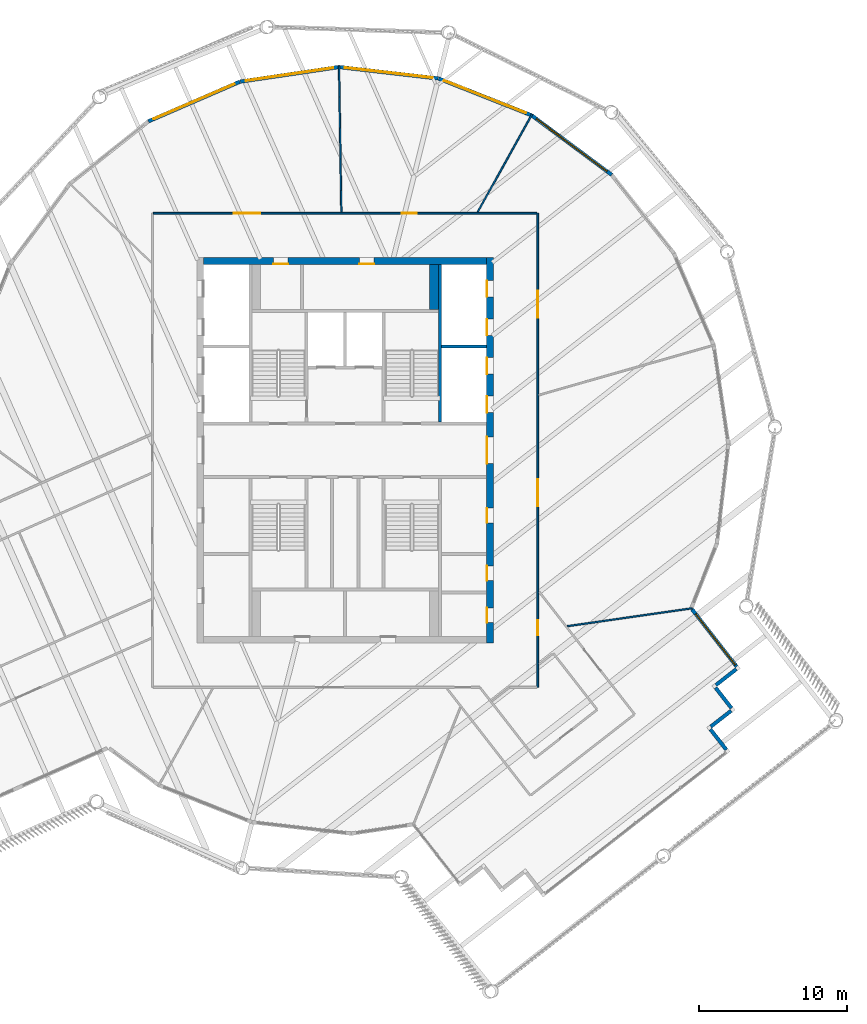
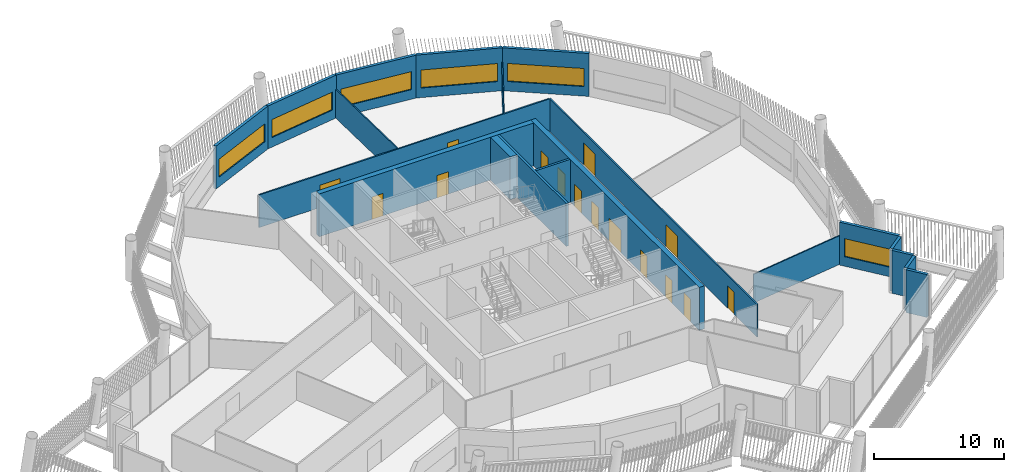
# One storey, part 19 of 28: 20 walls, 15 doors, 6 windows, 21 openings.
"""IFC4 building model written with IfcOpenShell, lengths in metres."""

import ifcopenshell
import ifcopenshell.guid

model = None  # the IFC model being written
_history = None  # IfcOwnerHistory: only IFC2X3 demands one
_inside = {}  # id of a spatial element -> (the spatial element, [elements in it])
_under = {}  # id of a project, library or spatial element -> (it, [spatial elements below it])
_declared = {}  # id of a project -> (the project, [libraries it declares])
_typed = {}  # id of a type object -> (the type object, [elements of that type])
_made_of = {}  # id of a material, layer set ... -> (it, [elements and type objects made of it])


def new_model(schema):
    """Start an empty IFC model of exactly this schema.

    Asked for "IFC4X3", IfcOpenShell would pick the latest addendum, in which some entities
    have other attributes; the version numbers below select the first issue.
    IFC2X3 requires an IfcOwnerHistory on every rooted entity: one is made here for all.
    """
    global model, _history
    if schema == "IFC4X3":
        model = ifcopenshell.file(schema_version=(4, 3, 0, 0))
    else:
        model = ifcopenshell.file(schema=schema)
    _inside.clear()
    _under.clear()
    _declared.clear()
    _typed.clear()
    _made_of.clear()
    _history = None
    if model.schema == "IFC2X3":
        org = make("IfcOrganization", Name="unknown")
        user = make(
            "IfcPersonAndOrganization",
            ThePerson=make("IfcPerson", FamilyName="unknown"),
            TheOrganization=org,
        )
        app = make(
            "IfcApplication",
            ApplicationDeveloper=org,
            Version="unknown",
            ApplicationFullName="unknown",
            ApplicationIdentifier="unknown",
        )
        _history = make(
            "IfcOwnerHistory",
            OwningUser=user,
            OwningApplication=app,
            ChangeAction="ADDED",
            CreationDate=0,
        )
    return model


def make(cls, **values):
    """One entity of the class cls with the attributes given. An attribute that is None is left unset."""
    return model.create_entity(
        cls, **{name: value for name, value in values.items() if value is not None}
    )


def rooted(cls, **values):
    """An entity with a GlobalId (a new one), such as an element, a storey or a relation."""
    return make(cls, GlobalId=ifcopenshell.guid.new(), OwnerHistory=_history, **values)


def si_unit(unit_type, name, prefix=None):
    """IfcSIUnit, for example si_unit("LENGTHUNIT", "METRE", prefix="MILLI")."""
    return make("IfcSIUnit", UnitType=unit_type, Prefix=prefix, Name=name)


def assignment(units):
    """IfcUnitAssignment: the units of a project."""
    return None if units is None else make("IfcUnitAssignment", Units=units)


def point(xyz):
    """IfcCartesianPoint."""
    return None if xyz is None else make("IfcCartesianPoint", Coordinates=xyz)


def direction(xyz):
    """IfcDirection."""
    return None if xyz is None else make("IfcDirection", DirectionRatios=xyz)


def frame(location, z_axis=None, x_axis=None):
    """IfcAxis2Placement3D, a coordinate frame: its origin and axes. An axis left out is left unset."""
    return make(
        "IfcAxis2Placement3D",
        Location=point(location),
        Axis=direction(z_axis),
        RefDirection=direction(x_axis),
    )


def frame_2d(location, x_axis=None):
    """IfcAxis2Placement2D, a coordinate frame in the plane: its origin and x axis."""
    return make(
        "IfcAxis2Placement2D", Location=point(location), RefDirection=direction(x_axis)
    )


def origin():
    """The frame at (0, 0, 0) with its axes left unset."""
    return frame((0.0, 0.0, 0.0))


def place(relative_to, where):
    """IfcLocalPlacement: puts the frame where relative to a parent placement (None: the world)."""
    return make(
        "IfcLocalPlacement", PlacementRelTo=relative_to, RelativePlacement=where
    )


def context(
    kind, dimensions, precision=None, world=None, true_north=None, identifier=None
):
    """IfcGeometricRepresentationContext, for example the 3D "Model" context."""
    return make(
        "IfcGeometricRepresentationContext",
        ContextIdentifier=identifier,
        ContextType=kind,
        CoordinateSpaceDimension=dimensions,
        Precision=precision,
        WorldCoordinateSystem=world,
        TrueNorth=true_north,
    )


def subcontext(parent, identifier, kind, view, scale=None):
    """IfcGeometricRepresentationSubContext, for example "Body" below "Model"."""
    return make(
        "IfcGeometricRepresentationSubContext",
        ContextIdentifier=identifier,
        ContextType=kind,
        ParentContext=parent,
        TargetScale=scale,
        TargetView=view,
    )


def project(units=None, contexts=None):
    """IfcProject with its units and contexts."""
    return rooted(
        "IfcProject",
        Name="project",
        RepresentationContexts=contexts,
        UnitsInContext=assignment(units),
    )


def spatial(cls, under=None, at=None, **own):
    """A site, building, storey or space (cls), placed at a placement, below another one or the project."""
    s = rooted(cls, ObjectPlacement=at, **own)
    if under is not None:
        _under.setdefault(under.id(), (under, []))[1].append(s)
    return s


def profile(cls, at=None, kind="AREA", **sizes):
    """A parametric profile (cls). Its sizes go by their IFC names, for example OverallWidth=200.0."""
    return make(cls, ProfileType=kind, Position=at, **sizes)


def rectangle(**sizes):
    """IfcRectangleProfileDef."""
    return profile("IfcRectangleProfileDef", **sizes)


def extrude(swept, where, along, depth):
    """IfcExtrudedAreaSolid: the profile swept, set in the frame where, extruded along a direction by depth."""
    return make(
        "IfcExtrudedAreaSolid",
        SweptArea=swept,
        Position=where,
        ExtrudedDirection=direction(along),
        Depth=depth,
    )


def shape(context_of_items, identifier, shape_type, items):
    """IfcShapeRepresentation: the items that make up one representation, for example the "Body"."""
    return make(
        "IfcShapeRepresentation",
        ContextOfItems=context_of_items,
        RepresentationIdentifier=identifier,
        RepresentationType=shape_type,
        Items=items,
    )


def material(Name=None, Category=None):
    """IfcMaterial."""
    return make("IfcMaterial", Name=Name, Category=Category)


def layer(
    of_material, thickness, ventilated=None, Name=None, Category=None, Priority=None
):
    """IfcMaterialLayer: one layer of a wall or slab, of a material (None: an air gap)."""
    return make(
        "IfcMaterialLayer",
        Material=of_material,
        LayerThickness=thickness,
        IsVentilated=ventilated,
        Name=Name,
        Category=Category,
        Priority=Priority,
    )


def layer_set(layers, Name=None):
    """IfcMaterialLayerSet."""
    return make("IfcMaterialLayerSet", MaterialLayers=layers, LayerSetName=Name)


def made_of(thing, what):
    """Note that an element or type object is made of a material, layer set ...; save() writes the relation."""
    if what is not None:
        _made_of.setdefault(what.id(), (what, []))[1].append(thing)
    return thing


def type_object(cls, material=None, **own):
    """A type object (cls), such as IfcWallType, which elements share."""
    return made_of(rooted(cls, **own), material)


def element(
    cls,
    number,
    at=None,
    inside=None,
    cuts=None,
    type_object=None,
    material=None,
    context=None,
    identifier="Body",
    shape_type=None,
    held_by="IfcProductDefinitionShape",
    body=None,
    shapes=None,
    **own,
):
    """One element of the class cls, such as IfcWall. Its Tag is "e" and its number.

    at: its placement. inside: the storey or other place that contains it. cuts: it is an
    opening in that element (IfcRelVoidsElement). A single representation is given by context,
    identifier, shape_type and body (its items); several are given by shapes. held_by: the class
    of the entity that holds the representations. save() writes the other relations.
    """
    e = rooted(cls, Tag="e%d" % number, ObjectPlacement=at, **own)
    if body is not None:
        shapes = [shape(context, identifier, shape_type, body)]
    if shapes is not None:
        e.Representation = make(held_by, Representations=shapes)
    if inside is not None:
        _inside.setdefault(inside.id(), (inside, []))[1].append(e)
    if cuts is not None:
        rooted(
            "IfcRelVoidsElement", RelatingBuildingElement=cuts, RelatedOpeningElement=e
        )
    if type_object is not None:
        _typed.setdefault(type_object.id(), (type_object, []))[1].append(e)
    return made_of(e, material)


def fill(opening, filler):
    """IfcRelFillsElement: the door or window that sits in an opening."""
    return rooted(
        "IfcRelFillsElement",
        RelatingOpeningElement=opening,
        RelatedBuildingElement=filler,
    )


def aggregate(whole, parts):
    """IfcRelAggregates: a whole, such as a stair, and the parts it consists of."""
    return rooted("IfcRelAggregates", RelatingObject=whole, RelatedObjects=parts)


def save(model, path):
    """Write the relations noted so far, then the file.

    IfcRelAggregates (storeys below a building ...), IfcRelContainedInSpatialStructure (elements
    in a storey), IfcRelDefinesByType, IfcRelAssociatesMaterial and IfcRelDeclares: one each for
    every whole, place, type object, material and project.
    """
    for whole, parts in _under.values():
        aggregate(whole, parts)
    for where, things in _inside.values():
        rooted(
            "IfcRelContainedInSpatialStructure",
            RelatedElements=things,
            RelatingStructure=where,
        )
    for kind, things in _typed.values():
        rooted("IfcRelDefinesByType", RelatedObjects=things, RelatingType=kind)
    for what, things in _made_of.values():
        rooted("IfcRelAssociatesMaterial", RelatedObjects=things, RelatingMaterial=what)
    for by, libraries in _declared.values():
        rooted("IfcRelDeclares", RelatingContext=by, RelatedDefinitions=libraries)
    model.write(path)


model = new_model("IFC4")

# Units and contexts
model_context = context("Model", 3, precision=1e-05, world=origin(), true_north=direction((0.0, 1.0)))
body_context = subcontext(model_context, "Body", "Model", "MODEL_VIEW")
ifc_project = project(units=[si_unit("LENGTHUNIT", "METRE"), si_unit("AREAUNIT", "SQUARE_METRE"), si_unit("VOLUMEUNIT", "CUBIC_METRE"), si_unit("PLANEANGLEUNIT", "RADIAN"), si_unit("MASSUNIT", "GRAM", prefix="KILO")], contexts=[model_context])

# Site, building, storey
site_placement = place(None, origin())
site = spatial("IfcSite", under=ifc_project, at=site_placement, CompositionType="ELEMENT")
building_placement = place(site_placement, origin())
building = spatial("IfcBuilding", under=site, at=building_placement, Name="Tarsis Ring Headquarters", CompositionType="ELEMENT")
storey_placement = place(building_placement, frame((0.0, 0.0, 381.800048828125)))
storey = spatial("IfcBuildingStorey", under=building, at=storey_placement, Name="L90", CompositionType="ELEMENT", Elevation=381.800048828125)

# Wall, openings, doors
ifc_material_1 = material(Name="Concrete C50/60", Category="concrete")
ifc_layer_1 = layer(ifc_material_1, 0.449951171875)
ifc_layer_set_1 = layer_set([ifc_layer_1], Name="Core wall 450 C50/60")
wall_type_1 = type_object("IfcWallType", Name="Core wall 450 C50/60", PredefinedType="SHEAR", material=ifc_layer_set_1)
wall_1_placement = place(storey_placement, frame((9.77490234375, -13.0, 0.0), z_axis=(0.0, 0.0, 1.0), x_axis=(0.0, 1.0, 0.0)))
wall_1 = element("IfcWall", 1, at=wall_1_placement, inside=storey, type_object=wall_type_1, Name="Core wall OE", PredefinedType="SHEAR", context=body_context, shape_type="SweptSolid", body=[
    extrude(rectangle(XDim=26.0, YDim=0.449951171875, at=frame_2d((13.0, 0.0))), origin(), (0.0, 0.0, 1.0), 4.0400390625),
])
opening_1_placement = place(wall_1_placement, frame((1.375, 0.0, 0.0)))
opening_1 = element("IfcOpeningElement", 2, at=opening_1_placement, cuts=wall_1, Name="Opening L90-C08", PredefinedType="OPENING", context=body_context, shape_type="SweptSolid", body=[
    extrude(rectangle(XDim=1.0, YDim=2.10009765625, at=frame_2d((0.5, 1.050048828125))), frame((0.0, 0.23486328125, 0.0), z_axis=(0.0, -1.0, 0.0), x_axis=(1.0, 0.0, 0.0)), (0.0, 0.0, 1.0), 0.469970703125),
])
opening_2_placement = place(wall_1_placement, frame((4.199951171875, 0.0, 0.0)))
opening_2 = element("IfcOpeningElement", 3, at=opening_2_placement, cuts=wall_1, Name="Opening L90-C09", PredefinedType="OPENING", context=body_context, shape_type="SweptSolid", body=[
    extrude(rectangle(XDim=1.0, YDim=2.10009765625, at=frame_2d((0.5, 1.050048828125))), frame((0.0, 0.23486328125, 0.0), z_axis=(0.0, -1.0, 0.0), x_axis=(1.0, 0.0, 0.0)), (0.0, 0.0, 1.0), 0.469970703125),
])
opening_3_placement = place(wall_1_placement, frame((8.10009765625, 0.0, 0.0)))
opening_3 = element("IfcOpeningElement", 4, at=opening_3_placement, cuts=wall_1, Name="Opening L90-C10", PredefinedType="OPENING", context=body_context, shape_type="SweptSolid", body=[
    extrude(rectangle(XDim=1.0, YDim=2.10009765625, at=frame_2d((0.5, 1.050048828125))), frame((0.0, 0.23486328125, 0.0), z_axis=(0.0, -1.0, 0.0), x_axis=(1.0, 0.0, 0.0)), (0.0, 0.0, 1.0), 0.469970703125),
])
opening_4_placement = place(wall_1_placement, frame((12.10009765625, 0.0, 0.0)))
opening_4 = element("IfcOpeningElement", 5, at=opening_4_placement, cuts=wall_1, Name="Opening L90-C11", PredefinedType="OPENING", context=body_context, shape_type="SweptSolid", body=[
    extrude(rectangle(XDim=1.800048828125, YDim=2.10009765625, at=frame_2d((0.89990234375, 1.050048828125))), frame((0.0, 0.23486328125, 0.0), z_axis=(0.0, -1.0, 0.0), x_axis=(1.0, 0.0, 0.0)), (0.0, 0.0, 1.0), 0.469970703125),
])
opening_5_placement = place(wall_1_placement, frame((15.550048828125, 0.0, 0.0)))
opening_5 = element("IfcOpeningElement", 6, at=opening_5_placement, cuts=wall_1, Name="Opening LD-HR5", PredefinedType="OPENING", context=body_context, shape_type="SweptSolid", body=[
    extrude(rectangle(XDim=1.10009765625, YDim=2.10009765625, at=frame_2d((0.550048828125, 1.050048828125))), frame((0.0, 0.23486328125, 0.0), z_axis=(0.0, -1.0, 0.0), x_axis=(1.0, 0.0, 0.0)), (0.0, 0.0, 1.0), 0.469970703125),
])
opening_6_placement = place(wall_1_placement, frame((18.14990234375, 0.0, 0.0)))
opening_6 = element("IfcOpeningElement", 7, at=opening_6_placement, cuts=wall_1, Name="Opening LD-HR6", PredefinedType="OPENING", context=body_context, shape_type="SweptSolid", body=[
    extrude(rectangle(XDim=1.10009765625, YDim=2.10009765625, at=frame_2d((0.550048828125, 1.050048828125))), frame((0.0, 0.23486328125, 0.0), z_axis=(0.0, -1.0, 0.0), x_axis=(1.0, 0.0, 0.0)), (0.0, 0.0, 1.0), 0.469970703125),
])
opening_7_placement = place(wall_1_placement, frame((20.75, 0.0, 0.0)))
opening_7 = element("IfcOpeningElement", 8, at=opening_7_placement, cuts=wall_1, Name="Opening LD-HR7", PredefinedType="OPENING", context=body_context, shape_type="SweptSolid", body=[
    extrude(rectangle(XDim=1.10009765625, YDim=2.10009765625, at=frame_2d((0.550048828125, 1.050048828125))), frame((0.0, 0.23486328125, 0.0), z_axis=(0.0, -1.0, 0.0), x_axis=(1.0, 0.0, 0.0)), (0.0, 0.0, 1.0), 0.469970703125),
])
opening_8_placement = place(wall_1_placement, frame((23.35009765625, 0.0, 0.0)))
opening_8 = element("IfcOpeningElement", 9, at=opening_8_placement, cuts=wall_1, Name="Opening LD-HR8", PredefinedType="OPENING", context=body_context, shape_type="SweptSolid", body=[
    extrude(rectangle(XDim=1.10009765625, YDim=2.10009765625, at=frame_2d((0.550048828125, 1.050048828125))), frame((0.0, 0.23486328125, 0.0), z_axis=(0.0, -1.0, 0.0), x_axis=(1.0, 0.0, 0.0)), (0.0, 0.0, 1.0), 0.469970703125),
])
ifc_material_2 = material(Name="Steel S355", Category="steel")
door_type_1 = type_object("IfcDoorType", Name="Core entry door 1800x2100", OperationType="DOUBLE_DOOR_SINGLE_SWING", PredefinedType="DOOR", material=ifc_material_2)
door_1_placement = place(opening_4_placement, origin())
door_1 = element("IfcDoor", 10, at=door_1_placement, inside=storey, type_object=door_type_1, Name="Core entry door L90", OperationType="DOUBLE_DOOR_SINGLE_SWING", OverallHeight=2.10009765625, OverallWidth=1.800048828125, PredefinedType="DOOR", context=body_context, shape_type="SweptSolid", body=[
    extrude(rectangle(XDim=1.800048828125, YDim=2.10009765625, at=frame_2d((0.89990234375, 1.050048828125))), frame((0.0, 0.22509765625, 0.0), z_axis=(0.0, -1.0, 0.0), x_axis=(1.0, 0.0, 0.0)), (0.0, 0.0, 1.0), 0.050048828125),
])
fill(opening_4, door_1)
door_type_2 = type_object("IfcDoorType", Name="Core room door 1000x2100", OperationType="SINGLE_SWING_LEFT", PredefinedType="DOOR", material=ifc_material_2)
door_2_placement = place(opening_1_placement, origin())
door_2 = element("IfcDoor", 11, at=door_2_placement, inside=storey, type_object=door_type_2, Name="Core room door L90", OperationType="SINGLE_SWING_LEFT", OverallHeight=2.10009765625, OverallWidth=1.0, PredefinedType="DOOR", context=body_context, shape_type="SweptSolid", body=[
    extrude(rectangle(XDim=1.0, YDim=2.10009765625, at=frame_2d((0.5, 1.050048828125))), frame((0.0, 0.22509765625, 0.0), z_axis=(0.0, -1.0, 0.0), x_axis=(1.0, 0.0, 0.0)), (0.0, 0.0, 1.0), 0.050048828125),
])
fill(opening_1, door_2)
door_3_placement = place(opening_2_placement, origin())
door_3 = element("IfcDoor", 12, at=door_3_placement, inside=storey, type_object=door_type_2, Name="Core room door L90", OperationType="SINGLE_SWING_LEFT", OverallHeight=2.10009765625, OverallWidth=1.0, PredefinedType="DOOR", context=body_context, shape_type="SweptSolid", body=[
    extrude(rectangle(XDim=1.0, YDim=2.10009765625, at=frame_2d((0.5, 1.050048828125))), frame((0.0, 0.22509765625, 0.0), z_axis=(0.0, -1.0, 0.0), x_axis=(1.0, 0.0, 0.0)), (0.0, 0.0, 1.0), 0.050048828125),
])
fill(opening_2, door_3)
door_4_placement = place(opening_3_placement, origin())
door_4 = element("IfcDoor", 13, at=door_4_placement, inside=storey, type_object=door_type_2, Name="Core room door L90", OperationType="SINGLE_SWING_LEFT", OverallHeight=2.10009765625, OverallWidth=1.0, PredefinedType="DOOR", context=body_context, shape_type="SweptSolid", body=[
    extrude(rectangle(XDim=1.0, YDim=2.10009765625, at=frame_2d((0.5, 1.050048828125))), frame((0.0, 0.22509765625, 0.0), z_axis=(0.0, -1.0, 0.0), x_axis=(1.0, 0.0, 0.0)), (0.0, 0.0, 1.0), 0.050048828125),
])
fill(opening_3, door_4)
door_type_3 = type_object("IfcDoorType", Name="Landing door 1100x2100", OperationType="SLIDING_TO_LEFT", PredefinedType="DOOR", material=ifc_material_2)
door_5_placement = place(opening_5_placement, origin())
door_5 = element("IfcDoor", 14, at=door_5_placement, inside=storey, type_object=door_type_3, Name="Landing door HR5 L90", OperationType="SLIDING_TO_LEFT", OverallHeight=2.10009765625, OverallWidth=1.10009765625, PredefinedType="DOOR", context=body_context, shape_type="SweptSolid", body=[
    extrude(rectangle(XDim=1.10009765625, YDim=2.10009765625, at=frame_2d((0.550048828125, 1.050048828125))), frame((0.0, 0.22509765625, 0.0), z_axis=(0.0, -1.0, 0.0), x_axis=(1.0, 0.0, 0.0)), (0.0, 0.0, 1.0), 0.050048828125),
])
fill(opening_5, door_5)
door_6_placement = place(opening_6_placement, origin())
door_6 = element("IfcDoor", 15, at=door_6_placement, inside=storey, type_object=door_type_3, Name="Landing door HR6 L90", OperationType="SLIDING_TO_LEFT", OverallHeight=2.10009765625, OverallWidth=1.10009765625, PredefinedType="DOOR", context=body_context, shape_type="SweptSolid", body=[
    extrude(rectangle(XDim=1.10009765625, YDim=2.10009765625, at=frame_2d((0.550048828125, 1.050048828125))), frame((0.0, 0.22509765625, 0.0), z_axis=(0.0, -1.0, 0.0), x_axis=(1.0, 0.0, 0.0)), (0.0, 0.0, 1.0), 0.050048828125),
])
fill(opening_6, door_6)
door_7_placement = place(opening_7_placement, origin())
door_7 = element("IfcDoor", 16, at=door_7_placement, inside=storey, type_object=door_type_3, Name="Landing door HR7 L90", OperationType="SLIDING_TO_LEFT", OverallHeight=2.10009765625, OverallWidth=1.10009765625, PredefinedType="DOOR", context=body_context, shape_type="SweptSolid", body=[
    extrude(rectangle(XDim=1.10009765625, YDim=2.10009765625, at=frame_2d((0.550048828125, 1.050048828125))), frame((0.0, 0.22509765625, 0.0), z_axis=(0.0, -1.0, 0.0), x_axis=(1.0, 0.0, 0.0)), (0.0, 0.0, 1.0), 0.050048828125),
])
fill(opening_7, door_7)
door_8_placement = place(opening_8_placement, origin())
door_8 = element("IfcDoor", 17, at=door_8_placement, inside=storey, type_object=door_type_3, Name="Landing door HR8 L90", OperationType="SLIDING_TO_LEFT", OverallHeight=2.10009765625, OverallWidth=1.10009765625, PredefinedType="DOOR", context=body_context, shape_type="SweptSolid", body=[
    extrude(rectangle(XDim=1.10009765625, YDim=2.10009765625, at=frame_2d((0.550048828125, 1.050048828125))), frame((0.0, 0.22509765625, 0.0), z_axis=(0.0, -1.0, 0.0), x_axis=(1.0, 0.0, 0.0)), (0.0, 0.0, 1.0), 0.050048828125),
])
fill(opening_8, door_8)

wall_2_placement = place(storey_placement, frame((-9.550048828125, 12.77490234375, 0.0), z_axis=(0.0, 0.0, 1.0), x_axis=(1.0, 0.0, 0.0)))
wall_2 = element("IfcWall", 18, at=wall_2_placement, inside=storey, type_object=wall_type_1, Name="Core wall ON", PredefinedType="SHEAR", context=body_context, shape_type="SweptSolid", body=[
    extrude(rectangle(XDim=19.10009765625, YDim=0.449951171875, at=frame_2d((9.550048828125, 0.0))), origin(), (0.0, 0.0, 1.0), 4.0400390625),
])
opening_9_placement = place(wall_2_placement, frame((4.699951171875, 0.0, 0.0)))
opening_9 = element("IfcOpeningElement", 19, at=opening_9_placement, cuts=wall_2, Name="Opening L90-C16", PredefinedType="OPENING", context=body_context, shape_type="SweptSolid", body=[
    extrude(rectangle(XDim=1.0, YDim=2.10009765625, at=frame_2d((0.5, 1.050048828125))), frame((0.0, 0.23486328125, 0.0), z_axis=(0.0, -1.0, 0.0), x_axis=(1.0, 0.0, 0.0)), (0.0, 0.0, 1.0), 0.469970703125),
])
opening_10_placement = place(wall_2_placement, frame((10.5, 0.0, 0.0)))
opening_10 = element("IfcOpeningElement", 20, at=opening_10_placement, cuts=wall_2, Name="Opening L90-C17", PredefinedType="OPENING", context=body_context, shape_type="SweptSolid", body=[
    extrude(rectangle(XDim=1.0, YDim=2.10009765625, at=frame_2d((0.5, 1.050048828125))), frame((0.0, 0.23486328125, 0.0), z_axis=(0.0, -1.0, 0.0), x_axis=(1.0, 0.0, 0.0)), (0.0, 0.0, 1.0), 0.469970703125),
])
door_9_placement = place(opening_9_placement, origin())
door_9 = element("IfcDoor", 21, at=door_9_placement, inside=storey, type_object=door_type_2, Name="Core room door L90", OperationType="SINGLE_SWING_LEFT", OverallHeight=2.10009765625, OverallWidth=1.0, PredefinedType="DOOR", context=body_context, shape_type="SweptSolid", body=[
    extrude(rectangle(XDim=1.0, YDim=2.10009765625, at=frame_2d((0.5, 1.050048828125))), frame((0.0, -0.1748046875, 0.0), z_axis=(0.0, -1.0, 0.0), x_axis=(1.0, 0.0, 0.0)), (0.0, 0.0, 1.0), 0.050048828125),
])
fill(opening_9, door_9)
door_10_placement = place(opening_10_placement, origin())
door_10 = element("IfcDoor", 22, at=door_10_placement, inside=storey, type_object=door_type_2, Name="Core room door L90", OperationType="SINGLE_SWING_LEFT", OverallHeight=2.10009765625, OverallWidth=1.0, PredefinedType="DOOR", context=body_context, shape_type="SweptSolid", body=[
    extrude(rectangle(XDim=1.0, YDim=2.10009765625, at=frame_2d((0.5, 1.050048828125))), frame((0.0, -0.1748046875, 0.0), z_axis=(0.0, -1.0, 0.0), x_axis=(1.0, 0.0, 0.0)), (0.0, 0.0, 1.0), 0.050048828125),
])
fill(opening_10, door_10)

# Walls
ifc_material_3 = material(Name="Gypsum board on steel studs", Category="steel")
ifc_layer_2 = layer(ifc_material_3, 0.10009765625)
ifc_layer_set_2 = layer_set([ifc_layer_2], Name="FL partition 100 unrated")
wall_type_2 = type_object("IfcWallType", Name="FL partition 100 unrated", PredefinedType="PARTITIONING", material=ifc_layer_set_2)
wall_3_placement = place(storey_placement, frame((-0.41650390625, 25.944580078125, 0.0), z_axis=(0.0, 0.0, 1.0), x_axis=(0.01604402079, -0.999871286415, 0.0)))
element("IfcWall", 23, at=wall_3_placement, inside=storey, type_object=wall_type_2, Name="Partition PW3", PredefinedType="PARTITIONING", context=body_context, shape_type="SweptSolid", body=[
    extrude(rectangle(XDim=9.875732421875, YDim=0.10009765625, at=frame_2d((4.93798828125, 0.0))), origin(), (0.0, 0.0, 1.0), 2.699951171875),
])
wall_4_placement = place(storey_placement, frame((15.00048828125, -11.86865234375, 0.0), z_axis=(0.0, 0.0, 1.0), x_axis=(0.989853409184, 0.142092323249, 0.0)))
element("IfcWall", 24, at=wall_4_placement, inside=storey, type_object=wall_type_2, Name="Partition PW3", PredefinedType="PARTITIONING", context=body_context, shape_type="SweptSolid", body=[
    extrude(rectangle(XDim=8.5068359375, YDim=0.10009765625, at=frame_2d((4.25341796875, 0.0))), origin(), (0.0, 0.0, 1.0), 2.699951171875),
])
wall_5_placement = place(storey_placement, frame((8.94189453125, 16.07861328125, 0.0), z_axis=(0.0, 0.0, 1.0), x_axis=(0.486013533932, 0.873951282873, 0.0)))
element("IfcWall", 25, at=wall_5_placement, inside=storey, type_object=wall_type_2, Name="Partition PW3", PredefinedType="PARTITIONING", context=body_context, shape_type="SweptSolid", body=[
    extrude(rectangle(XDim=7.550048828125, YDim=0.10009765625, at=frame_2d((3.77490234375, 0.0))), origin(), (0.0, 0.0, 1.0), 2.699951171875),
])

# Wall, openings, doors
ifc_layer_3 = layer(ifc_material_3, 0.125)
ifc_layer_set_3 = layer_set([ifc_layer_3], Name="FL partition 125 EI 60 H3070")
wall_type_3 = type_object("IfcWallType", Name="FL partition 125 EI 60 H3070", PredefinedType="PARTITIONING", material=ifc_layer_set_3)
wall_6_placement = place(storey_placement, frame((13.0, -15.9990234375, 0.0), z_axis=(0.0, 0.0, 1.0), x_axis=(0.0, 1.0, 0.0)))
wall_6 = element("IfcWall", 26, at=wall_6_placement, inside=storey, type_object=wall_type_3, Name="Partition PW1H307", PredefinedType="PARTITIONING", context=body_context, shape_type="SweptSolid", body=[
    extrude(rectangle(XDim=31.9990234375, YDim=0.125, at=frame_2d((15.99951171875, 0.0))), origin(), (0.0, 0.0, 1.0), 3.070068359375),
])
opening_11_placement = place(wall_6_placement, frame((24.952880859375, 0.0, 0.0)))
opening_11 = element("IfcOpeningElement", 27, at=opening_11_placement, cuts=wall_6, Name="Opening D90.06", PredefinedType="OPENING", context=body_context, shape_type="SweptSolid", body=[
    extrude(rectangle(XDim=1.800048828125, YDim=2.10009765625, at=frame_2d((0.89990234375, 1.050048828125))), frame((0.0, 0.072509765625, 0.0), z_axis=(0.0, -1.0, 0.0), x_axis=(1.0, 0.0, 0.0)), (0.0, 0.0, 1.0), 0.14501953125),
])
opening_12_placement = place(wall_6_placement, frame((12.238037109375, 0.0, 0.0)))
opening_12 = element("IfcOpeningElement", 28, at=opening_12_placement, cuts=wall_6, Name="Opening D90.07", PredefinedType="OPENING", context=body_context, shape_type="SweptSolid", body=[
    extrude(rectangle(XDim=1.800048828125, YDim=2.10009765625, at=frame_2d((0.89990234375, 1.050048828125))), frame((0.0, 0.072509765625, 0.0), z_axis=(0.0, -1.0, 0.0), x_axis=(1.0, 0.0, 0.0)), (0.0, 0.0, 1.0), 0.14501953125),
])
opening_13_placement = place(wall_6_placement, frame((3.523193359375, 0.0, 0.0)))
opening_13 = element("IfcOpeningElement", 29, at=opening_13_placement, cuts=wall_6, Name="Opening D90.13", PredefinedType="OPENING", context=body_context, shape_type="SweptSolid", body=[
    extrude(rectangle(XDim=1.0, YDim=2.10009765625, at=frame_2d((0.5, 1.050048828125))), frame((0.0, 0.072509765625, 0.0), z_axis=(0.0, -1.0, 0.0), x_axis=(1.0, 0.0, 0.0)), (0.0, 0.0, 1.0), 0.14501953125),
])
ifc_material_4 = material(Name="Fire-rated timber door leaf in steel frame", Category="steel")
door_type_4 = type_object("IfcDoorType", Name="FL door FD60-1000", OperationType="NOTDEFINED", PredefinedType="DOOR", material=ifc_material_4)
door_11_placement = place(opening_13_placement, origin())
door_11 = element("IfcDoor", 30, at=door_11_placement, inside=storey, type_object=door_type_4, Name="Door D90.13", OperationType="SINGLE_SWING_LEFT", OverallHeight=2.10009765625, OverallWidth=1.0, PredefinedType="DOOR", context=body_context, shape_type="SweptSolid", body=[
    extrude(rectangle(XDim=1.0, YDim=2.10009765625, at=frame_2d((0.5, 1.050048828125))), frame((0.0, 0.02490234375, 0.0), z_axis=(0.0, -1.0, 0.0), x_axis=(1.0, 0.0, 0.0)), (0.0, 0.0, 1.0), 0.050048828125),
])
fill(opening_13, door_11)
door_type_5 = type_object("IfcDoorType", Name="FL door FD60-1800", OperationType="DOUBLE_DOOR_SINGLE_SWING", PredefinedType="DOOR", material=ifc_material_4)
door_12_placement = place(opening_11_placement, origin())
door_12 = element("IfcDoor", 31, at=door_12_placement, inside=storey, type_object=door_type_5, Name="Door D90.06", OperationType="DOUBLE_DOOR_SINGLE_SWING", OverallHeight=2.10009765625, OverallWidth=1.800048828125, PredefinedType="DOOR", context=body_context, shape_type="SweptSolid", body=[
    extrude(rectangle(XDim=1.800048828125, YDim=2.10009765625, at=frame_2d((0.89990234375, 1.050048828125))), frame((0.0, 0.02490234375, 0.0), z_axis=(0.0, -1.0, 0.0), x_axis=(1.0, 0.0, 0.0)), (0.0, 0.0, 1.0), 0.050048828125),
])
fill(opening_11, door_12)
door_13_placement = place(opening_12_placement, origin())
door_13 = element("IfcDoor", 32, at=door_13_placement, inside=storey, type_object=door_type_5, Name="Door D90.07", OperationType="DOUBLE_DOOR_SINGLE_SWING", OverallHeight=2.10009765625, OverallWidth=1.800048828125, PredefinedType="DOOR", context=body_context, shape_type="SweptSolid", body=[
    extrude(rectangle(XDim=1.800048828125, YDim=2.10009765625, at=frame_2d((0.89990234375, 1.050048828125))), frame((0.0, 0.02490234375, 0.0), z_axis=(0.0, -1.0, 0.0), x_axis=(1.0, 0.0, 0.0)), (0.0, 0.0, 1.0), 0.050048828125),
])
fill(opening_12, door_13)

wall_7_placement = place(storey_placement, frame((-12.93994140625, 16.0, 0.0), z_axis=(0.0, 0.0, 1.0), x_axis=(1.0, 0.0, 0.0)))
wall_7 = element("IfcWall", 33, at=wall_7_placement, inside=storey, type_object=wall_type_3, Name="Partition PW1H307", PredefinedType="PARTITIONING", context=body_context, shape_type="SweptSolid", body=[
    extrude(rectangle(XDim=25.8798828125, YDim=0.125, at=frame_2d((12.93994140625, 0.0))), origin(), (0.0, 0.0, 1.0), 3.070068359375),
])
opening_14_placement = place(wall_7_placement, frame((5.41162109375, 0.0, 0.0)))
opening_14 = element("IfcOpeningElement", 34, at=opening_14_placement, cuts=wall_7, Name="Opening D90.04", PredefinedType="OPENING", context=body_context, shape_type="SweptSolid", body=[
    extrude(rectangle(XDim=1.800048828125, YDim=2.10009765625, at=frame_2d((0.89990234375, 1.050048828125))), frame((0.0, 0.072509765625, 0.0), z_axis=(0.0, -1.0, 0.0), x_axis=(1.0, 0.0, 0.0)), (0.0, 0.0, 1.0), 0.14501953125),
])
opening_15_placement = place(wall_7_placement, frame((16.760498046875, 0.0, 0.0)))
opening_15 = element("IfcOpeningElement", 35, at=opening_15_placement, cuts=wall_7, Name="Opening D90.05", PredefinedType="OPENING", context=body_context, shape_type="SweptSolid", body=[
    extrude(rectangle(XDim=1.0, YDim=2.10009765625, at=frame_2d((0.5, 1.050048828125))), frame((0.0, 0.072509765625, 0.0), z_axis=(0.0, -1.0, 0.0), x_axis=(1.0, 0.0, 0.0)), (0.0, 0.0, 1.0), 0.14501953125),
])
door_14_placement = place(opening_15_placement, origin())
door_14 = element("IfcDoor", 36, at=door_14_placement, inside=storey, type_object=door_type_4, Name="Door D90.05", OperationType="SINGLE_SWING_LEFT", OverallHeight=2.10009765625, OverallWidth=1.0, PredefinedType="DOOR", context=body_context, shape_type="SweptSolid", body=[
    extrude(rectangle(XDim=1.0, YDim=2.10009765625, at=frame_2d((0.5, 1.050048828125))), frame((0.0, 0.02490234375, 0.0), z_axis=(0.0, -1.0, 0.0), x_axis=(1.0, 0.0, 0.0)), (0.0, 0.0, 1.0), 0.050048828125),
])
fill(opening_15, door_14)
door_15_placement = place(opening_14_placement, origin())
door_15 = element("IfcDoor", 37, at=door_15_placement, inside=storey, type_object=door_type_5, Name="Door D90.04", OperationType="DOUBLE_DOOR_SINGLE_SWING", OverallHeight=2.10009765625, OverallWidth=1.800048828125, PredefinedType="DOOR", context=body_context, shape_type="SweptSolid", body=[
    extrude(rectangle(XDim=1.800048828125, YDim=2.10009765625, at=frame_2d((0.89990234375, 1.050048828125))), frame((0.0, 0.02490234375, 0.0), z_axis=(0.0, -1.0, 0.0), x_axis=(1.0, 0.0, 0.0)), (0.0, 0.0, 1.0), 0.050048828125),
])
fill(opening_14, door_15)

# Walls
ifc_material_5 = material(Name="Terracotta clad insulated panel wall", Category="masonry")
ifc_layer_4 = layer(ifc_material_5, 0.25)
ifc_layer_set_4 = layer_set([ifc_layer_4], Name="Facade wall terracotta panel 250")
wall_type_4 = type_object("IfcWallType", Name="Facade wall terracotta panel 250", PredefinedType="STANDARD", material=ifc_layer_set_4)
for number, where, z_axis, x_axis, name in (
    (38, (25.724609375, -20.20703125, 0.0), (0.0, 0.0, 1.0), (-0.614519930767, 0.788901295911, 0.0), "External wall L90-12"),
    (39, (24.6708984375, -18.65087890625, 0.0), (0.0, 0.0, 1.0), (0.788901295911, 0.614519930767, 0.0), "External wall L90-13"),
    (40, (26.0732421875, -17.400146484375, 0.0), (0.0, 0.0, 1.0), (-0.614519930767, 0.788901295911, 0.0), "External wall L90-14"),
):
    element("IfcWall", number, at=place(storey_placement, frame(where, z_axis=z_axis, x_axis=x_axis)), inside=storey, type_object=wall_type_4, Name=name, PredefinedType="STANDARD", context=body_context, shape_type="SweptSolid", body=[
        extrude(rectangle(XDim=1.75, YDim=0.25, at=frame_2d((0.875, 0.0))), origin(), (0.0, 0.0, 1.0), 4.0400390625),
    ])
wall_8_placement = place(storey_placement, frame((25.01953125, -15.84423828125, 0.0), z_axis=(0.0, 0.0, 1.0), x_axis=(0.788833665481, 0.614606742725, 0.0)))
element("IfcWall", 41, at=wall_8_placement, inside=storey, type_object=wall_type_4, Name="External wall L90-15", PredefinedType="STANDARD", context=body_context, shape_type="SweptSolid", body=[
    extrude(rectangle(XDim=1.750244140625, YDim=0.25, at=frame_2d((0.875, 0.0))), origin(), (0.0, 0.0, 1.0), 4.0400390625),
])

# Wall, opening, window
wall_9_placement = place(storey_placement, frame((26.421875, -14.59326171875, 0.0), z_axis=(0.0, 0.0, 1.0), x_axis=(-0.614571487824, 0.78886113249, 0.0)))
wall_9 = element("IfcWall", 42, at=wall_9_placement, inside=storey, type_object=wall_type_4, Name="External wall L90-16", PredefinedType="STANDARD", context=body_context, shape_type="SweptSolid", body=[
    extrude(rectangle(XDim=4.9013671875, YDim=0.25, at=frame_2d((2.45068359375, 0.0))), origin(), (0.0, 0.0, 1.0), 4.0400390625),
])
opening_16_placement = place(wall_9_placement, frame((0.150634765625, 0.0, 0.89990234375)))
opening_16 = element("IfcOpeningElement", 43, at=opening_16_placement, cuts=wall_9, Name="Opening WN03", PredefinedType="OPENING", context=body_context, shape_type="SweptSolid", body=[
    extrude(rectangle(XDim=4.35009765625, YDim=1.699951171875, at=frame_2d((2.175048828125, 0.85009765625))), frame((0.0, 0.135009765625, 0.0), z_axis=(0.0, -1.0, 0.0), x_axis=(1.0, 0.0, 0.0)), (0.0, 0.0, 1.0), 0.27001953125),
])
ifc_material_6 = material(Name="Aluminium framed double glazing", Category="aluminium")
window_type_1 = type_object("IfcWindowType", Name="Facade window 4350 x 1700", PartitioningType="SINGLE_PANEL", PredefinedType="WINDOW", material=ifc_material_6)
window_1_placement = place(opening_16_placement, origin())
window_1 = element("IfcWindow", 44, at=window_1_placement, inside=storey, type_object=window_type_1, Name="Window L90-16.1", OverallHeight=1.699951171875, OverallWidth=4.35009765625, PartitioningType="SINGLE_PANEL", PredefinedType="WINDOW", context=body_context, shape_type="SweptSolid", body=[
    extrude(rectangle(XDim=4.35009765625, YDim=1.699951171875, at=frame_2d((2.175048828125, 0.85009765625))), frame((0.0, 0.030029296875, 0.0), z_axis=(0.0, -1.0, 0.0), x_axis=(1.0, 0.0, 0.0)), (0.0, 0.0, 1.0), 0.06005859375),
])
fill(opening_16, window_1)

wall_10_placement = place(storey_placement, frame((17.986328125, 18.596923828125, 0.0), z_axis=(0.0, 0.0, 1.0), x_axis=(-0.803036350182, 0.595930046471, 0.0)))
wall_10 = element("IfcWall", 45, at=wall_10_placement, inside=storey, type_object=wall_type_4, Name="External wall L90-22", PredefinedType="STANDARD", context=body_context, shape_type="SweptSolid", body=[
    extrude(rectangle(XDim=6.7216796875, YDim=0.25, at=frame_2d((3.36083984375, 0.0))), origin(), (0.0, 0.0, 1.0), 4.0400390625),
])
opening_17_placement = place(wall_10_placement, frame((0.3857421875, 0.0, 0.89990234375)))
opening_17 = element("IfcOpeningElement", 46, at=opening_17_placement, cuts=wall_10, Name="Opening WN07", PredefinedType="OPENING", context=body_context, shape_type="SweptSolid", body=[
    extrude(rectangle(XDim=5.949951171875, YDim=1.699951171875, at=frame_2d((2.97509765625, 0.85009765625))), frame((0.0, 0.135009765625, 0.0), z_axis=(0.0, -1.0, 0.0), x_axis=(1.0, 0.0, 0.0)), (0.0, 0.0, 1.0), 0.27001953125),
])
window_type_2 = type_object("IfcWindowType", Name="Facade window 5950 x 1700", PartitioningType="SINGLE_PANEL", PredefinedType="WINDOW", material=ifc_material_6)
window_2_placement = place(opening_17_placement, origin())
window_2 = element("IfcWindow", 47, at=window_2_placement, inside=storey, type_object=window_type_2, Name="Window L90-22.1", OverallHeight=1.699951171875, OverallWidth=5.949951171875, PartitioningType="SINGLE_PANEL", PredefinedType="WINDOW", context=body_context, shape_type="SweptSolid", body=[
    extrude(rectangle(XDim=5.949951171875, YDim=1.699951171875, at=frame_2d((2.97509765625, 0.85009765625))), frame((0.0, 0.030029296875, 0.0), z_axis=(0.0, -1.0, 0.0), x_axis=(1.0, 0.0, 0.0)), (0.0, 0.0, 1.0), 0.06005859375),
])
fill(opening_17, window_2)

wall_11_placement = place(storey_placement, frame((12.560302734375, 22.618408203125, 0.0), z_axis=(0.0, 0.0, 1.0), x_axis=(-0.929907570046, 0.367793299519, 0.0)))
wall_11 = element("IfcWall", 48, at=wall_11_placement, inside=storey, type_object=wall_type_4, Name="External wall L90-23", PredefinedType="STANDARD", context=body_context, shape_type="SweptSolid", body=[
    extrude(rectangle(XDim=6.7216796875, YDim=0.25, at=frame_2d((3.36083984375, 0.0))), origin(), (0.0, 0.0, 1.0), 4.0400390625),
])
opening_18_placement = place(wall_11_placement, frame((0.3857421875, 0.0, 0.89990234375)))
opening_18 = element("IfcOpeningElement", 49, at=opening_18_placement, cuts=wall_11, Name="Opening WN07", PredefinedType="OPENING", context=body_context, shape_type="SweptSolid", body=[
    extrude(rectangle(XDim=5.949951171875, YDim=1.699951171875, at=frame_2d((2.97509765625, 0.85009765625))), frame((0.0, 0.135009765625, 0.0), z_axis=(0.0, -1.0, 0.0), x_axis=(1.0, 0.0, 0.0)), (0.0, 0.0, 1.0), 0.27001953125),
])
window_3_placement = place(opening_18_placement, origin())
window_3 = element("IfcWindow", 50, at=window_3_placement, inside=storey, type_object=window_type_2, Name="Window L90-23.1", OverallHeight=1.699951171875, OverallWidth=5.949951171875, PartitioningType="SINGLE_PANEL", PredefinedType="WINDOW", context=body_context, shape_type="SweptSolid", body=[
    extrude(rectangle(XDim=5.949951171875, YDim=1.699951171875, at=frame_2d((2.97509765625, 0.85009765625))), frame((0.0, 0.030029296875, 0.0), z_axis=(0.0, -1.0, 0.0), x_axis=(1.0, 0.0, 0.0)), (0.0, 0.0, 1.0), 0.06005859375),
])
fill(opening_18, window_3)

wall_12_placement = place(storey_placement, frame((6.278076171875, 25.098388671875, 0.0), z_axis=(0.0, 0.0, 1.0), x_axis=(-0.993412116995, 0.114596534886, 0.0)))
wall_12 = element("IfcWall", 51, at=wall_12_placement, inside=storey, type_object=wall_type_4, Name="External wall L90-24", PredefinedType="STANDARD", context=body_context, shape_type="SweptSolid", body=[
    extrude(rectangle(XDim=6.721435546875, YDim=0.25, at=frame_2d((3.36083984375, 0.0))), origin(), (0.0, 0.0, 1.0), 4.0400390625),
])
opening_19_placement = place(wall_12_placement, frame((0.3857421875, 0.0, 0.89990234375)))
opening_19 = element("IfcOpeningElement", 52, at=opening_19_placement, cuts=wall_12, Name="Opening WN07", PredefinedType="OPENING", context=body_context, shape_type="SweptSolid", body=[
    extrude(rectangle(XDim=5.949951171875, YDim=1.699951171875, at=frame_2d((2.97509765625, 0.85009765625))), frame((0.0, 0.135009765625, 0.0), z_axis=(0.0, -1.0, 0.0), x_axis=(1.0, 0.0, 0.0)), (0.0, 0.0, 1.0), 0.27001953125),
])
window_4_placement = place(opening_19_placement, origin())
window_4 = element("IfcWindow", 53, at=window_4_placement, inside=storey, type_object=window_type_2, Name="Window L90-24.1", OverallHeight=1.699951171875, OverallWidth=5.949951171875, PartitioningType="SINGLE_PANEL", PredefinedType="WINDOW", context=body_context, shape_type="SweptSolid", body=[
    extrude(rectangle(XDim=5.949951171875, YDim=1.699951171875, at=frame_2d((2.97509765625, 0.85009765625))), frame((0.0, 0.030029296875, 0.0), z_axis=(0.0, -1.0, 0.0), x_axis=(1.0, 0.0, 0.0)), (0.0, 0.0, 1.0), 0.06005859375),
])
fill(opening_19, window_4)

wall_13_placement = place(storey_placement, frame((-0.431640625, 25.8681640625, 0.0), z_axis=(0.0, 0.0, 1.0), x_axis=(-0.989223539735, -0.146413074671, 0.0)))
wall_13 = element("IfcWall", 54, at=wall_13_placement, inside=storey, type_object=wall_type_4, Name="External wall L90-25", PredefinedType="STANDARD", context=body_context, shape_type="SweptSolid", body=[
    extrude(rectangle(XDim=6.7216796875, YDim=0.25, at=frame_2d((3.36083984375, 0.0))), origin(), (0.0, 0.0, 1.0), 4.0400390625),
])
opening_20_placement = place(wall_13_placement, frame((0.3857421875, 0.0, 0.89990234375)))
opening_20 = element("IfcOpeningElement", 55, at=opening_20_placement, cuts=wall_13, Name="Opening WN07", PredefinedType="OPENING", context=body_context, shape_type="SweptSolid", body=[
    extrude(rectangle(XDim=5.949951171875, YDim=1.699951171875, at=frame_2d((2.97509765625, 0.85009765625))), frame((0.0, 0.135009765625, 0.0), z_axis=(0.0, -1.0, 0.0), x_axis=(1.0, 0.0, 0.0)), (0.0, 0.0, 1.0), 0.27001953125),
])
window_5_placement = place(opening_20_placement, origin())
window_5 = element("IfcWindow", 56, at=window_5_placement, inside=storey, type_object=window_type_2, Name="Window L90-25.1", OverallHeight=1.699951171875, OverallWidth=5.949951171875, PartitioningType="SINGLE_PANEL", PredefinedType="WINDOW", context=body_context, shape_type="SweptSolid", body=[
    extrude(rectangle(XDim=5.949951171875, YDim=1.699951171875, at=frame_2d((2.97509765625, 0.85009765625))), frame((0.0, 0.030029296875, 0.0), z_axis=(0.0, -1.0, 0.0), x_axis=(1.0, 0.0, 0.0)), (0.0, 0.0, 1.0), 0.06005859375),
])
fill(opening_20, window_5)

wall_14_placement = place(storey_placement, frame((-7.1123046875, 24.875, 0.0), z_axis=(0.0, 0.0, 1.0), x_axis=(-0.917612596853, -0.397475939016, 0.0)))
wall_14 = element("IfcWall", 57, at=wall_14_placement, inside=storey, type_object=wall_type_4, Name="External wall L90-26", PredefinedType="STANDARD", context=body_context, shape_type="SweptSolid", body=[
    extrude(rectangle(XDim=6.721435546875, YDim=0.25, at=frame_2d((3.36083984375, 0.0))), origin(), (0.0, 0.0, 1.0), 4.0400390625),
])
opening_21_placement = place(wall_14_placement, frame((0.3857421875, 0.0, 0.89990234375)))
opening_21 = element("IfcOpeningElement", 58, at=opening_21_placement, cuts=wall_14, Name="Opening WN07", PredefinedType="OPENING", context=body_context, shape_type="SweptSolid", body=[
    extrude(rectangle(XDim=5.949951171875, YDim=1.699951171875, at=frame_2d((2.97509765625, 0.85009765625))), frame((0.0, 0.135009765625, 0.0), z_axis=(0.0, -1.0, 0.0), x_axis=(1.0, 0.0, 0.0)), (0.0, 0.0, 1.0), 0.27001953125),
])
window_6_placement = place(opening_21_placement, origin())
window_6 = element("IfcWindow", 59, at=window_6_placement, inside=storey, type_object=window_type_2, Name="Window L90-26.1", OverallHeight=1.699951171875, OverallWidth=5.949951171875, PartitioningType="SINGLE_PANEL", PredefinedType="WINDOW", context=body_context, shape_type="SweptSolid", body=[
    extrude(rectangle(XDim=5.949951171875, YDim=1.699951171875, at=frame_2d((2.97509765625, 0.85009765625))), frame((0.0, 0.030029296875, 0.0), z_axis=(0.0, -1.0, 0.0), x_axis=(1.0, 0.0, 0.0)), (0.0, 0.0, 1.0), 0.06005859375),
])
fill(opening_21, window_6)

# Walls
ifc_material_7 = material(Name="Concrete C32/40", Category="concrete")
ifc_layer_5 = layer(ifc_material_7, 0.60009765625)
ifc_layer_set_5 = layer_set([ifc_layer_5], Name="Shaft end wall 600 C32/40")
wall_type_5 = type_object("IfcWallType", Name="Shaft end wall 600 C32/40", PredefinedType="SOLIDWALL", material=ifc_layer_set_5)
wall_15_placement = place(storey_placement, frame((6.0, 9.5, 0.0), z_axis=(0.0, 0.0, 1.0), x_axis=(0.0, 1.0, 0.0)))
element("IfcWall", 60, at=wall_15_placement, inside=storey, type_object=wall_type_5, Name="Core shaft wall NNE2", PredefinedType="SOLIDWALL", context=body_context, shape_type="SweptSolid", body=[
    extrude(rectangle(XDim=3.050048828125, YDim=0.60009765625, at=frame_2d((1.52490234375, 0.0))), origin(), (0.0, 0.0, 1.0), 4.0400390625),
])
ifc_layer_6 = layer(ifc_material_7, 0.199951171875)
ifc_layer_set_6 = layer_set([ifc_layer_6], Name="Shaft wall 200 C32/40")
wall_type_6 = type_object("IfcWallType", Name="Shaft wall 200 C32/40", PredefinedType="SOLIDWALL", material=ifc_layer_set_6)
wall_16_placement = place(storey_placement, frame((6.39990234375, 1.89990234375, 0.0), z_axis=(0.0, 0.0, 1.0), x_axis=(0.0, 1.0, 0.0)))
element("IfcWall", 61, at=wall_16_placement, inside=storey, type_object=wall_type_6, Name="Core shaft wall EB2", PredefinedType="SOLIDWALL", context=body_context, shape_type="SweptSolid", body=[
    extrude(rectangle(XDim=10.650146484375, YDim=0.199951171875, at=frame_2d((5.3251953125, 0.0))), origin(), (0.0, 0.0, 1.0), 4.0400390625),
])
wall_17_placement = place(storey_placement, frame((6.5, 7.0, 0.0), z_axis=(0.0, 0.0, 1.0), x_axis=(1.0, 0.0, 0.0)))
element("IfcWall", 62, at=wall_17_placement, inside=storey, type_object=wall_type_6, Name="Core shaft wall ED6", PredefinedType="SOLIDWALL", context=body_context, shape_type="SweptSolid", body=[
    extrude(rectangle(XDim=3.050048828125, YDim=0.199951171875, at=frame_2d((1.52490234375, 0.0))), origin(), (0.0, 0.0, 1.0), 4.0400390625),
])

save(model, "model.ifc")
